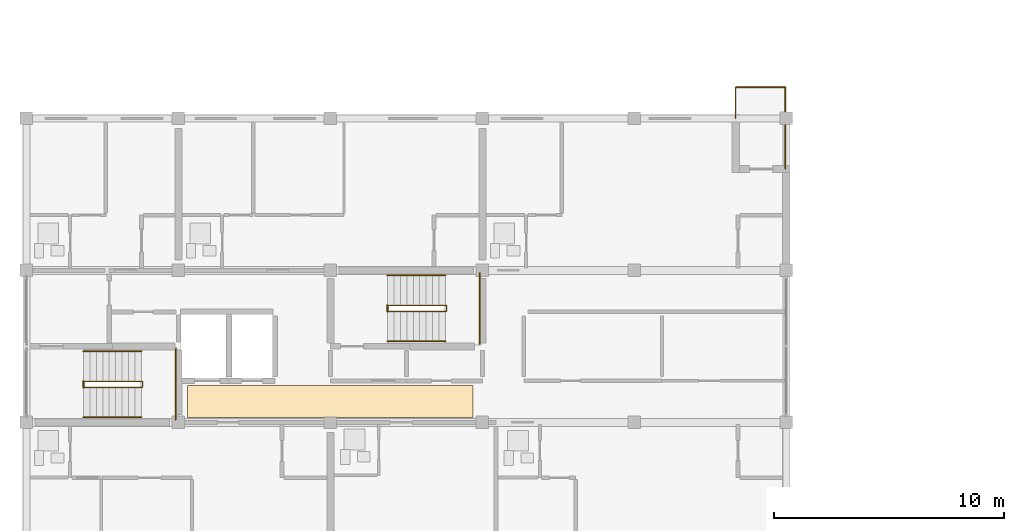
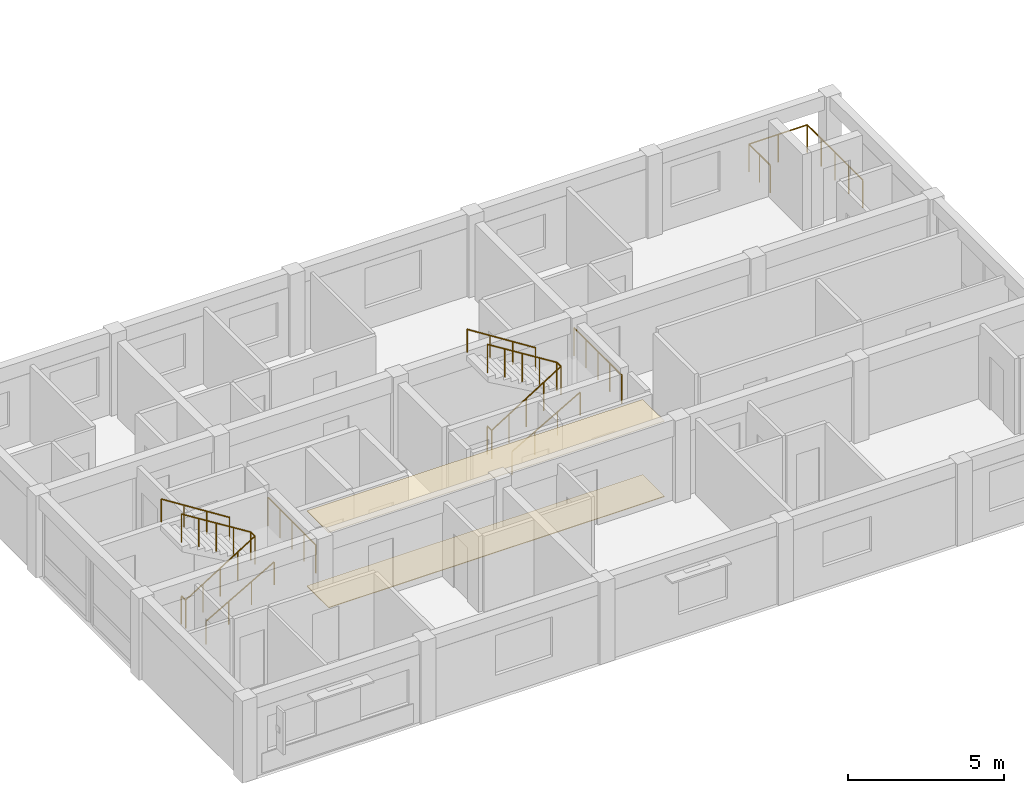
# One storey, part 50 of 53: 11 railings, 2 coverings.
"""IFC4 building model written with IfcOpenShell, lengths in metres."""

from ifc_helpers import new_model, si_unit, direction, frame, origin, origin_2d, place, context, subcontext, project, spatial, polyline, circle, outline, extrude, material, layer, layer_set, type_object, element, save


model = new_model("IFC4")

# Units and contexts
model_context = context("Model", 3, precision=1e-05, world=origin(), true_north=direction((0.0, 1.0)))
body_context = subcontext(model_context, "Body", "Model", "MODEL_VIEW")
ifc_project = project(units=[si_unit("LENGTHUNIT", "METRE"), si_unit("AREAUNIT", "SQUARE_METRE"), si_unit("VOLUMEUNIT", "CUBIC_METRE"), si_unit("PLANEANGLEUNIT", "RADIAN"), si_unit("MASSUNIT", "GRAM", prefix="KILO")], contexts=[model_context])

# Site, building, storey
site_placement = place(None, origin())
site = spatial("IfcSite", under=ifc_project, at=site_placement, CompositionType="ELEMENT")
building_placement = place(site_placement, origin())
building = spatial("IfcBuilding", under=site, at=building_placement, Name="Kernevlak Ridge Housing Community", CompositionType="ELEMENT")
storey_placement = place(building_placement, frame((0.0, 0.0, 18.0)))
storey = spatial("IfcBuildingStorey", under=building, at=storey_placement, Name="L05", CompositionType="ELEMENT", Elevation=18.0)

# Railing
ifc_material_1 = material(Name="Steel S355", Category="steel")
railing_type_1 = type_object("IfcRailingType", Name="BL-01", PredefinedType="BALUSTRADE", material=ifc_material_1)
railing_1_placement = place(storey_placement, frame((46.39990234375, 95.800048828125, 0.0)))
element("IfcRailing", 1, at=railing_1_placement, inside=storey, type_object=railing_type_1, Name="Block A L05 balcony balustrade BL-01 5", PredefinedType="BALUSTRADE", context=body_context, shape_type="SweptSolid", body=[
    extrude(circle(Radius=0.02392578125, at=origin_2d()), frame((0.0, 0.0, 1.076171875), z_axis=(0.0, 1.0, 0.0), x_axis=(-1.0, 0.0, 0.0)), (0.0, 0.0, 1.0), 1.349853515625),
    extrude(circle(Radius=0.02392578125, at=origin_2d()), frame((0.0, 1.349853515625, 1.076171875), z_axis=(1.0, 0.0, 0.0), x_axis=(0.0, 1.0, 0.0)), (0.0, 0.0, 1.0), 2.150146484375),
    extrude(circle(Radius=0.02392578125, at=origin_2d()), frame((2.150146484375, 1.349853515625, 1.076171875), z_axis=(0.0, -1.0, 0.0), x_axis=(1.0, 0.0, 0.0)), (0.0, 0.0, 1.0), 3.5498046875),
    extrude(circle(Radius=0.02099609375, at=origin_2d()), origin(), (0.0, 0.0, 1.0), 1.052001953125),
    extrude(circle(Radius=0.02099609375, at=origin_2d()), frame((0.0, 0.6748046875, 0.0)), (0.0, 0.0, 1.0), 1.052001953125),
    extrude(circle(Radius=0.02099609375, at=origin_2d()), frame((0.0, 1.349853515625, 0.0)), (0.0, 0.0, 1.0), 1.052001953125),
    extrude(circle(Radius=0.02099609375, at=origin_2d()), frame((1.0751953125, 1.349853515625, 0.0)), (0.0, 0.0, 1.0), 1.052001953125),
    extrude(circle(Radius=0.02099609375, at=origin_2d()), frame((2.150146484375, 1.349853515625, 0.0)), (0.0, 0.0, 1.0), 1.052001953125),
    extrude(circle(Radius=0.02099609375, at=origin_2d()), frame((2.150146484375, 0.46240234375, 0.0)), (0.0, 0.0, 1.0), 1.052001953125),
    extrude(circle(Radius=0.02099609375, at=origin_2d()), frame((2.150146484375, -0.425048828125, 0.0)), (0.0, 0.0, 1.0), 1.052001953125),
    extrude(circle(Radius=0.02099609375, at=origin_2d()), frame((2.150146484375, -1.3125, 0.0)), (0.0, 0.0, 1.0), 1.052001953125),
    extrude(circle(Radius=0.02099609375, at=origin_2d()), frame((2.150146484375, -2.199951171875, 0.0)), (0.0, 0.0, 1.0), 1.052001953125),
])

# Coverings
ifc_material_2 = material(Name="Acoustic perforated gypsum ceiling board")
ifc_layer_1 = layer(ifc_material_2, 0.02001953125, Name="Acoustic perforated gypsum ceiling board")
ifc_layer_set_1 = layer_set([ifc_layer_1], Name="Acoustic perforated gypsum ceiling board")
covering_type_1 = type_object("IfcCoveringType", Name="CV-01", PredefinedType="CEILING", material=ifc_layer_set_1)
covering_1_placement = place(storey_placement, frame((0.0, 0.0, 2.93994140625)))
element("IfcCovering", 2, at=covering_1_placement, inside=storey, type_object=covering_type_1, Name="Block A L05 lobby acoustic ceiling", PredefinedType="CEILING", context=body_context, shape_type="SweptSolid", body=[
    extrude(outline(polyline([(22.60009765625, 82.800048828125), (35.0, 82.800048828125), (35.0, 84.199951171875), (22.60009765625, 84.199951171875), (22.60009765625, 82.800048828125)])), origin(), (0.0, 0.0, 1.0), 0.02001953125),
])
ifc_material_3 = material(Name="Polished pale terrazzo tile flooring")
ifc_layer_2 = layer(ifc_material_3, 0.02490234375, Name="Polished pale terrazzo tile flooring")
ifc_layer_set_2 = layer_set([ifc_layer_2], Name="Polished pale terrazzo tile flooring")
covering_type_2 = type_object("IfcCoveringType", Name="CV-02", PredefinedType="FLOORING", material=ifc_layer_set_2)
covering_2_placement = place(storey_placement, origin())
element("IfcCovering", 3, at=covering_2_placement, inside=storey, type_object=covering_type_2, Name="Block A L05 lobby terrazzo flooring", PredefinedType="FLOORING", context=body_context, shape_type="SweptSolid", body=[
    extrude(outline(polyline([(22.60009765625, 82.800048828125), (35.0, 82.800048828125), (35.0, 84.199951171875), (22.60009765625, 84.199951171875), (22.60009765625, 82.800048828125)])), origin(), (0.0, 0.0, 1.0), 0.02490234375),
])

# Railings
railing_type_2 = type_object("IfcRailingType", Name="GR-02", PredefinedType="GUARDRAIL", material=ifc_material_1)
railing_2_placement = place(storey_placement, frame((18.080078125, 84.110107421875, 0.0)))
element("IfcRailing", 4, at=railing_2_placement, inside=storey, type_object=railing_type_2, Name="Stair ST-A1 L05 well slot guard", PredefinedType="GUARDRAIL", context=body_context, shape_type="SweptSolid", body=[
    extrude(circle(Radius=0.02392578125, at=origin_2d()), frame((0.0, 0.0, 1.09619140625), z_axis=(0.0, 1.0, 0.0), x_axis=(-1.0, 0.0, 0.0)), (0.0, 0.0, 1.0), 0.27978515625),
    extrude(circle(Radius=0.02099609375, at=origin_2d()), origin(), (0.0, 0.0, 1.0), 1.072021484375),
    extrude(circle(Radius=0.02099609375, at=origin_2d()), frame((0.0, 0.27978515625, 0.0)), (0.0, 0.0, 1.0), 1.072021484375),
])
railing_3_placement = place(storey_placement, frame((18.080078125, 84.1201171875, 0.0)))
element("IfcRailing", 5, at=railing_3_placement, inside=storey, type_object=railing_type_2, Name="Stair ST-A1 L05 inner well guardrail", PredefinedType="GUARDRAIL", context=body_context, shape_type="SweptSolid", body=[
    extrude(circle(Radius=0.02392578125, at=origin_2d()), frame((0.0, 0.0, 1.09619140625), z_axis=(0.847966497998, 0.0, 0.530049826217), x_axis=(0.0, 1.0, 0.0)), (0.0, 0.0, 1.0), 3.018798828125),
    extrude(circle(Radius=0.02392578125, at=origin_2d()), frame((2.559814453125, 0.0, 2.6962890625), z_axis=(0.0, 1.0, 0.0), x_axis=(-1.0, 0.0, 0.0)), (0.0, 0.0, 1.0), 0.259765625),
    extrude(circle(Radius=0.02392578125, at=origin_2d()), frame((2.559814453125, 0.259765625, 2.6962890625), z_axis=(-0.848002847666, 0.0, 0.529991670077), x_axis=(0.0, -1.0, 0.0)), (0.0, 0.0, 1.0), 3.0185546875),
    extrude(circle(Radius=0.02099609375, at=origin_2d()), origin(), (0.0, 0.0, 1.0), 1.072021484375),
    extrude(circle(Radius=0.02099609375, at=origin_2d()), frame((0.639892578125, 0.0, 0.39990234375)), (0.0, 0.0, 1.0), 1.072021484375),
    extrude(circle(Radius=0.02099609375, at=origin_2d()), frame((1.27978515625, 0.0, 0.800048828125)), (0.0, 0.0, 1.0), 1.072021484375),
    extrude(circle(Radius=0.02099609375, at=origin_2d()), frame((1.919921875, 0.0, 1.2001953125)), (0.0, 0.0, 1.0), 1.072021484375),
    extrude(circle(Radius=0.02099609375, at=origin_2d()), frame((2.559814453125, 0.0, 1.60009765625)), (0.0, 0.0, 1.0), 1.072021484375),
    extrude(circle(Radius=0.02099609375, at=origin_2d()), frame((2.559814453125, 0.259765625, 1.60009765625)), (0.0, 0.0, 1.0), 1.072021484375),
    extrude(circle(Radius=0.02099609375, at=origin_2d()), frame((1.919921875, 0.259765625, 2.0)), (0.0, 0.0, 1.0), 1.072021484375),
    extrude(circle(Radius=0.02099609375, at=origin_2d()), frame((1.27978515625, 0.259765625, 2.39990234375)), (0.0, 0.0, 1.0), 1.072021484375),
    extrude(circle(Radius=0.02099609375, at=origin_2d()), frame((0.639892578125, 0.259765625, 2.800048828125)), (0.0, 0.0, 1.0), 1.072021484375),
    extrude(circle(Radius=0.02099609375, at=origin_2d()), frame((0.0, 0.259765625, 3.199951171875)), (0.0, 0.0, 1.0), 1.072021484375),
])
railing_4_placement = place(storey_placement, frame((22.080078125, 82.719970703125, 1.60009765625)))
element("IfcRailing", 6, at=railing_4_placement, inside=storey, type_object=railing_type_2, Name="Stair ST-A1 L05 half-landing guard", PredefinedType="GUARDRAIL", context=body_context, shape_type="SweptSolid", body=[
    extrude(circle(Radius=0.02392578125, at=origin_2d()), frame((0.0, 0.0, 1.09619140625), z_axis=(0.0, 1.0, 0.0), x_axis=(-1.0, 0.0, 0.0)), (0.0, 0.0, 1.0), 3.06005859375),
    extrude(circle(Radius=0.02099609375, at=origin_2d()), origin(), (0.0, 0.0, 1.0), 1.072021484375),
    extrude(circle(Radius=0.02099609375, at=origin_2d()), frame((0.0, 0.76513671875, 0.0)), (0.0, 0.0, 1.0), 1.072021484375),
    extrude(circle(Radius=0.02099609375, at=origin_2d()), frame((0.0, 1.530029296875, 0.0)), (0.0, 0.0, 1.0), 1.072021484375),
    extrude(circle(Radius=0.02099609375, at=origin_2d()), frame((0.0, 2.294921875, 0.0)), (0.0, 0.0, 1.0), 1.072021484375),
    extrude(circle(Radius=0.02099609375, at=origin_2d()), frame((0.0, 3.06005859375, 0.0)), (0.0, 0.0, 1.0), 1.072021484375),
])
railing_5_placement = place(storey_placement, frame((31.280029296875, 87.409912109375, 0.0)))
element("IfcRailing", 7, at=railing_5_placement, inside=storey, type_object=railing_type_2, Name="Stair ST-A2 L05 well slot guard", PredefinedType="GUARDRAIL", context=body_context, shape_type="SweptSolid", body=[
    extrude(circle(Radius=0.02392578125, at=origin_2d()), frame((0.0, 0.0, 1.09619140625), z_axis=(0.0, 1.0, 0.0), x_axis=(-1.0, 0.0, 0.0)), (0.0, 0.0, 1.0), 0.280029296875),
    extrude(circle(Radius=0.02099609375, at=origin_2d()), origin(), (0.0, 0.0, 1.0), 1.072021484375),
    extrude(circle(Radius=0.02099609375, at=origin_2d()), frame((0.0, 0.280029296875, 0.0)), (0.0, 0.0, 1.0), 1.072021484375),
])
railing_6_placement = place(storey_placement, frame((31.280029296875, 87.419921875, 0.0)))
element("IfcRailing", 8, at=railing_6_placement, inside=storey, type_object=railing_type_2, Name="Stair ST-A2 L05 inner well guardrail", PredefinedType="GUARDRAIL", context=body_context, shape_type="SweptSolid", body=[
    extrude(circle(Radius=0.02392578125, at=origin_2d()), frame((0.0, 0.0, 1.09619140625), z_axis=(0.847989217509, 0.0, 0.530013478119), x_axis=(0.0, 1.0, 0.0)), (0.0, 0.0, 1.0), 3.01904296875),
    extrude(circle(Radius=0.02392578125, at=origin_2d()), frame((2.56005859375, 0.0, 2.6962890625), z_axis=(0.0, 1.0, 0.0), x_axis=(-1.0, 0.0, 0.0)), (0.0, 0.0, 1.0), 0.260009765625),
    extrude(circle(Radius=0.02392578125, at=origin_2d()), frame((2.56005859375, 0.260009765625, 2.6962890625), z_axis=(-0.848025563165, 0.0, 0.529955322851), x_axis=(0.0, -1.0, 0.0)), (0.0, 0.0, 1.0), 3.018798828125),
    extrude(circle(Radius=0.02099609375, at=origin_2d()), origin(), (0.0, 0.0, 1.0), 1.072021484375),
    extrude(circle(Radius=0.02099609375, at=origin_2d()), frame((0.64013671875, 0.0, 0.39990234375)), (0.0, 0.0, 1.0), 1.072021484375),
    extrude(circle(Radius=0.02099609375, at=origin_2d()), frame((1.280029296875, 0.0, 0.800048828125)), (0.0, 0.0, 1.0), 1.072021484375),
    extrude(circle(Radius=0.02099609375, at=origin_2d()), frame((1.919921875, 0.0, 1.2001953125)), (0.0, 0.0, 1.0), 1.072021484375),
    extrude(circle(Radius=0.02099609375, at=origin_2d()), frame((2.56005859375, 0.0, 1.60009765625)), (0.0, 0.0, 1.0), 1.072021484375),
    extrude(circle(Radius=0.02099609375, at=origin_2d()), frame((2.56005859375, 0.260009765625, 1.60009765625)), (0.0, 0.0, 1.0), 1.072021484375),
    extrude(circle(Radius=0.02099609375, at=origin_2d()), frame((1.919921875, 0.260009765625, 2.0)), (0.0, 0.0, 1.0), 1.072021484375),
    extrude(circle(Radius=0.02099609375, at=origin_2d()), frame((1.280029296875, 0.260009765625, 2.39990234375)), (0.0, 0.0, 1.0), 1.072021484375),
    extrude(circle(Radius=0.02099609375, at=origin_2d()), frame((0.64013671875, 0.260009765625, 2.800048828125)), (0.0, 0.0, 1.0), 1.072021484375),
    extrude(circle(Radius=0.02099609375, at=origin_2d()), frame((0.0, 0.260009765625, 3.199951171875)), (0.0, 0.0, 1.0), 1.072021484375),
])
railing_7_placement = place(storey_placement, frame((35.280029296875, 86.02001953125, 1.60009765625)))
element("IfcRailing", 9, at=railing_7_placement, inside=storey, type_object=railing_type_2, Name="Stair ST-A2 L05 half-landing guard", PredefinedType="GUARDRAIL", context=body_context, shape_type="SweptSolid", body=[
    extrude(circle(Radius=0.02392578125, at=origin_2d()), frame((0.0, 0.0, 1.09619140625), z_axis=(0.0, 1.0, 0.0), x_axis=(-1.0, 0.0, 0.0)), (0.0, 0.0, 1.0), 3.06005859375),
    extrude(circle(Radius=0.02099609375, at=origin_2d()), origin(), (0.0, 0.0, 1.0), 1.072021484375),
    extrude(circle(Radius=0.02099609375, at=origin_2d()), frame((0.0, 0.76513671875, 0.0)), (0.0, 0.0, 1.0), 1.072021484375),
    extrude(circle(Radius=0.02099609375, at=origin_2d()), frame((0.0, 1.530029296875, 0.0)), (0.0, 0.0, 1.0), 1.072021484375),
    extrude(circle(Radius=0.02099609375, at=origin_2d()), frame((0.0, 2.294921875, 0.0)), (0.0, 0.0, 1.0), 1.072021484375),
    extrude(circle(Radius=0.02099609375, at=origin_2d()), frame((0.0, 3.06005859375, 0.0)), (0.0, 0.0, 1.0), 1.072021484375),
])
ifc_material_4 = material(Name="Stainless steel EN 1.4401", Category="steel")
railing_type_3 = type_object("IfcRailingType", Name="HR-01", PredefinedType="HANDRAIL", material=ifc_material_4)
railing_8_placement = place(storey_placement, frame((18.080078125, 82.820068359375, 0.159912109375)))
element("IfcRailing", 10, at=railing_8_placement, inside=storey, type_object=railing_type_3, Name="Stair ST-A1 L05 flight 1 handrail", PredefinedType="HANDRAIL", context=body_context, shape_type="SweptSolid", body=[
    extrude(circle(Radius=0.02392578125, at=origin_2d()), frame((0.0, 0.0, 0.89599609375), z_axis=(0.868217259934, 0.0, 0.496184229447), x_axis=(0.0, 1.0, 0.0)), (0.0, 0.0, 1.0), 2.902587890625),
    extrude(circle(Radius=0.02099609375, at=origin_2d()), origin(), (0.0, 0.0, 1.0), 0.871826171875),
    extrude(circle(Radius=0.02099609375, at=origin_2d()), frame((0.840087890625, 0.0, 0.47998046875)), (0.0, 0.0, 1.0), 0.871826171875),
    extrude(circle(Radius=0.02099609375, at=origin_2d()), frame((1.679931640625, 0.0, 0.960205078125)), (0.0, 0.0, 1.0), 0.871826171875),
    extrude(circle(Radius=0.02099609375, at=origin_2d()), frame((2.52001953125, 0.0, 1.440185546875)), (0.0, 0.0, 1.0), 0.871826171875),
])
railing_9_placement = place(storey_placement, frame((20.60009765625, 85.679931640625, 1.60009765625)))
element("IfcRailing", 11, at=railing_9_placement, inside=storey, type_object=railing_type_3, Name="Stair ST-A1 L05 flight 2 handrail", PredefinedType="HANDRAIL", context=body_context, shape_type="SweptSolid", body=[
    extrude(circle(Radius=0.02392578125, at=origin_2d()), frame((0.0, 0.0, 0.89599609375), z_axis=(-0.84423690053, 0.0, 0.535970200462), x_axis=(0.0, -1.0, 0.0)), (0.0, 0.0, 1.0), 2.98486328125),
    extrude(circle(Radius=0.02099609375, at=origin_2d()), origin(), (0.0, 0.0, 1.0), 0.871826171875),
    extrude(circle(Radius=0.02099609375, at=origin_2d()), frame((-0.840087890625, 0.0, 0.533203125)), (0.0, 0.0, 1.0), 0.871826171875),
    extrude(circle(Radius=0.02099609375, at=origin_2d()), frame((-1.679931640625, 0.0, 1.066650390625)), (0.0, 0.0, 1.0), 0.871826171875),
    extrude(circle(Radius=0.02099609375, at=origin_2d()), frame((-2.52001953125, 0.0, 1.599853515625)), (0.0, 0.0, 1.0), 0.871826171875),
])
railing_10_placement = place(storey_placement, frame((31.280029296875, 86.1201171875, 0.159912109375)))
element("IfcRailing", 12, at=railing_10_placement, inside=storey, type_object=railing_type_3, Name="Stair ST-A2 L05 flight 1 handrail", PredefinedType="HANDRAIL", context=body_context, shape_type="SweptSolid", body=[
    extrude(circle(Radius=0.02392578125, at=origin_2d()), frame((0.0, 0.0, 0.89599609375), z_axis=(0.868217259934, 0.0, 0.496184229447), x_axis=(0.0, 1.0, 0.0)), (0.0, 0.0, 1.0), 2.902587890625),
    extrude(circle(Radius=0.02099609375, at=origin_2d()), origin(), (0.0, 0.0, 1.0), 0.871826171875),
    extrude(circle(Radius=0.02099609375, at=origin_2d()), frame((0.840087890625, 0.0, 0.47998046875)), (0.0, 0.0, 1.0), 0.871826171875),
    extrude(circle(Radius=0.02099609375, at=origin_2d()), frame((1.679931640625, 0.0, 0.960205078125)), (0.0, 0.0, 1.0), 0.871826171875),
    extrude(circle(Radius=0.02099609375, at=origin_2d()), frame((2.52001953125, 0.0, 1.440185546875)), (0.0, 0.0, 1.0), 0.871826171875),
])
railing_11_placement = place(storey_placement, frame((33.800048828125, 88.97998046875, 1.60009765625)))
element("IfcRailing", 13, at=railing_11_placement, inside=storey, type_object=railing_type_3, Name="Stair ST-A2 L05 flight 2 handrail", PredefinedType="HANDRAIL", context=body_context, shape_type="SweptSolid", body=[
    extrude(circle(Radius=0.02392578125, at=origin_2d()), frame((0.0, 0.0, 0.89599609375), z_axis=(-0.84423690053, 0.0, 0.535970200462), x_axis=(0.0, -1.0, 0.0)), (0.0, 0.0, 1.0), 2.98486328125),
    extrude(circle(Radius=0.02099609375, at=origin_2d()), origin(), (0.0, 0.0, 1.0), 0.871826171875),
    extrude(circle(Radius=0.02099609375, at=origin_2d()), frame((-0.840087890625, 0.0, 0.533203125)), (0.0, 0.0, 1.0), 0.871826171875),
    extrude(circle(Radius=0.02099609375, at=origin_2d()), frame((-1.679931640625, 0.0, 1.066650390625)), (0.0, 0.0, 1.0), 0.871826171875),
    extrude(circle(Radius=0.02099609375, at=origin_2d()), frame((-2.52001953125, 0.0, 1.599853515625)), (0.0, 0.0, 1.0), 0.871826171875),
])

save(model, "model.ifc")
